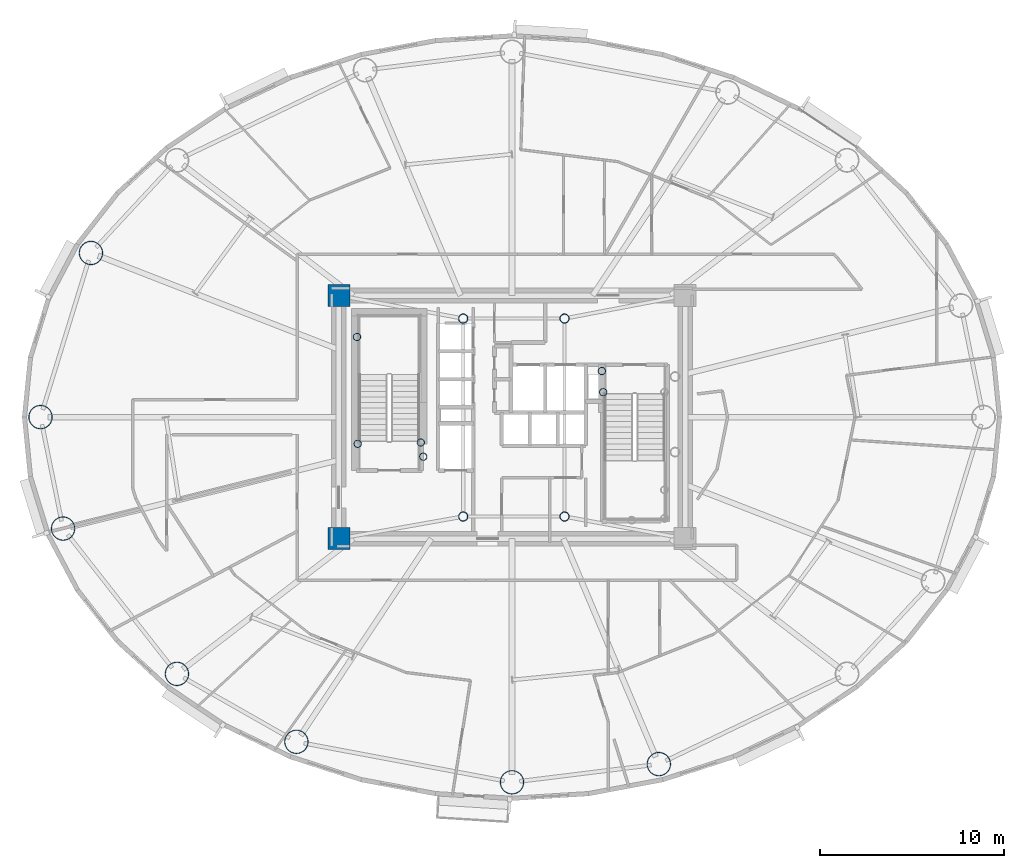
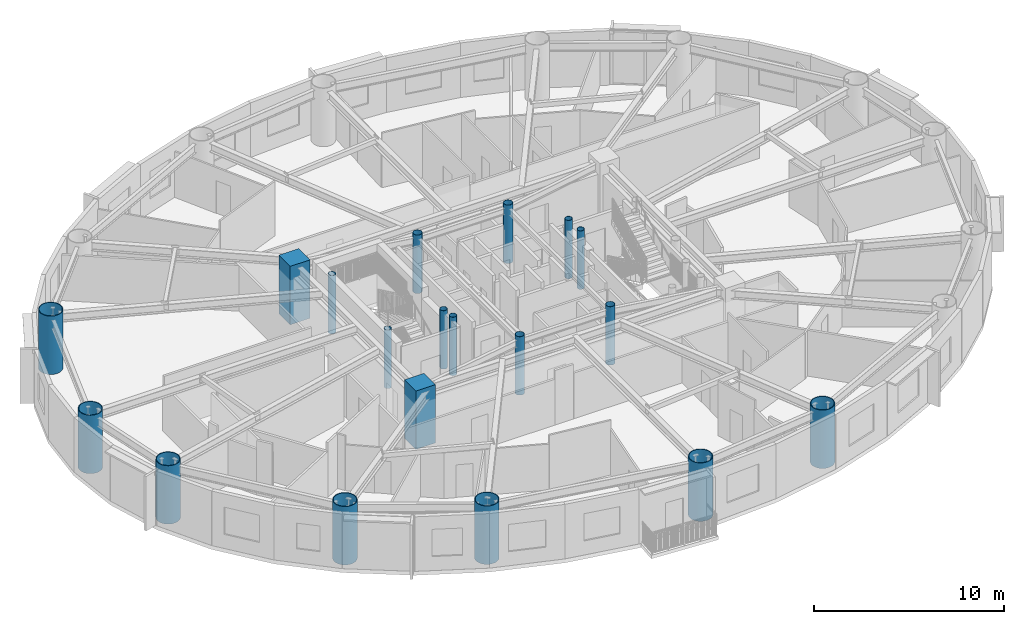
# One storey, part 1 of 19: 19 columns.
"""IFC4 building model written with IfcOpenShell, lengths in metres."""

from ifc_helpers import new_model, si_unit, direction, frame, origin, origin_2d, place, context, subcontext, project, spatial, rectangle, hollow_circle, extrude, material, material_profile, profile_set, type_object, element, save


model = new_model("IFC4")

# Units and contexts
model_context = context("Model", 3, precision=1e-05, world=origin(), true_north=direction((0.0, 1.0)))
body_context = subcontext(model_context, "Body", "Model", "MODEL_VIEW")
ifc_project = project(units=[si_unit("LENGTHUNIT", "METRE"), si_unit("AREAUNIT", "SQUARE_METRE"), si_unit("VOLUMEUNIT", "CUBIC_METRE"), si_unit("PLANEANGLEUNIT", "RADIAN"), si_unit("MASSUNIT", "GRAM", prefix="KILO")], contexts=[model_context])

# Site, building, storey
site_placement = place(None, origin())
site = spatial("IfcSite", under=ifc_project, at=site_placement, CompositionType="ELEMENT")
building_placement = place(site_placement, origin())
building = spatial("IfcBuilding", under=site, at=building_placement, Name="Linh Dai School and Residence Tower", CompositionType="ELEMENT")
storey_placement = place(building_placement, frame((0.0, 0.0, 193.64990234375)))
storey = spatial("IfcBuildingStorey", under=building, at=storey_placement, Name="L47", CompositionType="ELEMENT", Elevation=193.64990234375)

# Columns
ifc_material_1 = material(Name="Concrete B60 (C50/60)", Category="concrete")
ifc_material_profile_1 = material_profile(ifc_material_1, rectangle(XDim=1.199951171875, YDim=1.199951171875, at=origin_2d()), Name="RC 1200x1200")
ifc_profile_set_1 = profile_set([ifc_material_profile_1], Name="Concrete B60 (C50/60)")
column_type_1 = type_object("IfcColumnType", Name="COL-CC2", PredefinedType="COLUMN", material=ifc_profile_set_1)
for number, where, z_axis, x_axis, name in (
    (1, (26.60009765625, 20.39990234375, 0.0), (0.0, 0.0, 1.0), (1.0, 0.0, 0.0), "L47 Core Corner Pier CC1"),
    (2, (26.60009765625, 33.60009765625, 0.0), (0.0, 0.0, 1.0), (1.0, 0.0, 0.0), "L47 Core Corner Pier CC4"),
):
    element("IfcColumn", number, at=place(storey_placement, frame(where, z_axis=z_axis, x_axis=x_axis)), inside=storey, type_object=column_type_1, Name=name, PredefinedType="COLUMN", context=body_context, shape_type="SweptSolid", body=[
        extrude(rectangle(XDim=1.199951171875, YDim=1.199951171875, at=origin_2d()), origin(), (0.0, 0.0, 1.0), 3.75),
    ])
ifc_material_2 = material(Name="Structural Steel S355JR", Category="steel")
ifc_material_profile_2 = material_profile(ifc_material_2, hollow_circle(Radius=0.203125, WallThickness=0.01611328125, at=origin_2d()), Name="CHS 406.4x16")
ifc_profile_set_2 = profile_set([ifc_material_profile_2], Name="Structural Steel S355JR")
column_type_2 = type_object("IfcColumnType", Name="COL-EC", PredefinedType="COLUMN", material=ifc_profile_set_2)
for number, where, z_axis, x_axis, name in (
    (3, (27.580078125, 31.35009765625, 0.0), (0.0, 0.0, 1.0), (1.0, 0.0, 0.0), "L47 Stair Shaft Landing Support Pier ST1NW"),
    (4, (31.050048828125, 25.6201171875, 0.0), (0.0, 0.0, 1.0), (1.0, 0.0, 0.0), "L47 Stair Shaft Landing Support Pier ST1SE"),
    (5, (31.179931640625, 24.85009765625, 0.0), (0.0, 0.0, 1.0), (1.0, 0.0, 0.0), "L47 Stair Shaft Landing Support Pier ST1SM"),
    (6, (27.6201171875, 25.550048828125, 0.0), (0.0, 0.0, 1.0), (1.0, 0.0, 0.0), "L47 Stair Shaft Landing Support Pier ST1SW"),
    (7, (40.949951171875, 28.35009765625, 0.0), (0.0, 0.0, 1.0), (1.0, 0.0, 0.0), "L47 Stair Shaft Landing Support Pier ST2N1"),
    (8, (40.8798828125, 29.5, 0.0), (0.0, 0.0, 1.0), (1.0, 0.0, 0.0), "L47 Stair Shaft Landing Support Pier ST2N3"),
):
    element("IfcColumn", number, at=place(storey_placement, frame(where, z_axis=z_axis, x_axis=x_axis)), inside=storey, type_object=column_type_2, Name=name, PredefinedType="COLUMN", context=body_context, shape_type="SweptSolid", body=[
        extrude(hollow_circle(Radius=0.203125, WallThickness=0.01611328125, at=origin_2d()), origin(), (0.0, 0.0, 1.0), 3.75),
    ])
ifc_material_profile_3 = material_profile(ifc_material_2, hollow_circle(Radius=0.64990234375, WallThickness=0.0400390625, at=origin_2d()), Name="CHS 1300x40")
ifc_profile_set_3 = profile_set([ifc_material_profile_3], Name="Structural Steel S355JR")
column_type_3 = type_object("IfcColumnType", Name="COL-MC4", PredefinedType="COLUMN", material=ifc_profile_set_3)
for number, where, z_axis, x_axis, name in (
    (9, (13.137451171875, 35.9111328125, 0.0), (0.0, 0.0, 1.0), (1.0, 0.0, 0.0), "L47 Perimeter CFT Mega-Column MC08"),
    (10, (10.39990234375, 27.0, 0.0), (0.0, 0.0, 1.0), (1.0, 0.0, 0.0), "L47 Perimeter CFT Mega-Column MC09"),
    (11, (11.62548828125, 20.946533203125, 0.0), (0.0, 0.0, 1.0), (1.0, 0.0, 0.0), "L47 Perimeter CFT Mega-Column MC10"),
    (12, (17.8076171875, 13.058349609375, 0.0), (0.0, 0.0, 1.0), (1.0, 0.0, 0.0), "L47 Perimeter CFT Mega-Column MC11"),
    (13, (24.29443359375, 9.369140625, 0.0), (0.0, 0.0, 1.0), (1.0, 0.0, 0.0), "L47 Perimeter CFT Mega-Column MC12"),
    (14, (36.0, 7.169921875, 0.0), (0.0, 0.0, 1.0), (1.0, 0.0, 0.0), "L47 Perimeter CFT Mega-Column MC13"),
    (15, (43.973388671875, 8.15869140625, 0.0), (0.0, 0.0, 1.0), (1.0, 0.0, 0.0), "L47 Perimeter CFT Mega-Column MC14"),
):
    element("IfcColumn", number, at=place(storey_placement, frame(where, z_axis=z_axis, x_axis=x_axis)), inside=storey, type_object=column_type_3, Name=name, PredefinedType="COLUMN", context=body_context, shape_type="SweptSolid", body=[
        extrude(hollow_circle(Radius=0.64990234375, WallThickness=0.0400390625, at=origin_2d()), origin(), (0.0, 0.0, 1.0), 3.75),
    ])
ifc_material_profile_4 = material_profile(ifc_material_2, hollow_circle(Radius=0.25390625, WallThickness=0.02001953125, at=origin_2d()), Name="CHS 508x20")
ifc_profile_set_4 = profile_set([ifc_material_profile_4], Name="Structural Steel S355JR")
column_type_4 = type_object("IfcColumnType", Name="COL-MCP", PredefinedType="COLUMN", material=ifc_profile_set_4)
for number, where, z_axis, x_axis, name in (
    (16, (33.35009765625, 21.60009765625, 0.0), (0.0, 0.0, 1.0), (1.0, 0.0, 0.0), "L47 Core Mast Support Pier MCP1"),
    (17, (38.85009765625, 21.60009765625, 0.0), (0.0, 0.0, 1.0), (1.0, 0.0, 0.0), "L47 Core Mast Support Pier MCP2"),
    (18, (38.85009765625, 32.35009765625, 0.0), (0.0, 0.0, 1.0), (1.0, 0.0, 0.0), "L47 Core Mast Support Pier MCP3"),
    (19, (33.35009765625, 32.35009765625, 0.0), (0.0, 0.0, 1.0), (1.0, 0.0, 0.0), "L47 Core Mast Support Pier MCP4"),
):
    element("IfcColumn", number, at=place(storey_placement, frame(where, z_axis=z_axis, x_axis=x_axis)), inside=storey, type_object=column_type_4, Name=name, PredefinedType="COLUMN", context=body_context, shape_type="SweptSolid", body=[
        extrude(hollow_circle(Radius=0.25390625, WallThickness=0.02001953125, at=origin_2d()), origin(), (0.0, 0.0, 1.0), 3.75),
    ])

save(model, "model.ifc")
